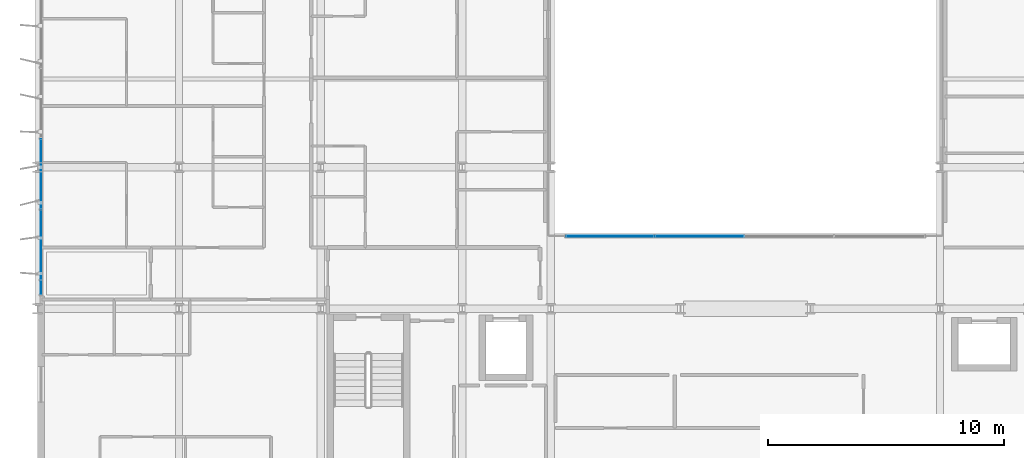
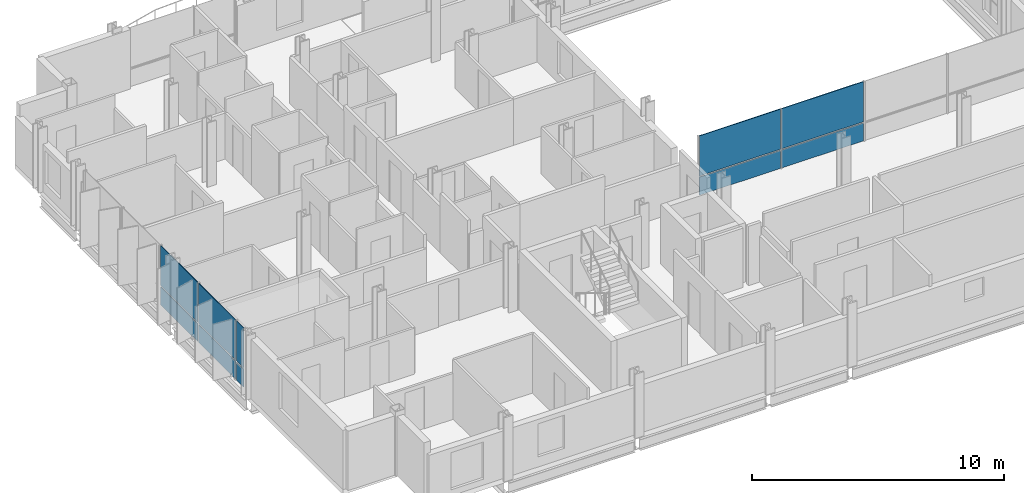
# One storey, part 22 of 39: 10 plates, 2 elements without a shape of their own.
"""IFC4 building model written with IfcOpenShell, lengths in metres."""

from ifc_helpers import new_model, si_unit, direction, frame, origin, origin_2d, place, context, subcontext, project, spatial, rectangle, extrude, material, layer, layer_set, type_object, element, aggregate, save


model = new_model("IFC4")

# Units and contexts
model_context = context("Model", 3, precision=1e-05, world=origin(), true_north=direction((0.0, 1.0)))
body_context = subcontext(model_context, "Body", "Model", "MODEL_VIEW")
ifc_project = project(units=[si_unit("LENGTHUNIT", "METRE"), si_unit("AREAUNIT", "SQUARE_METRE"), si_unit("VOLUMEUNIT", "CUBIC_METRE"), si_unit("PLANEANGLEUNIT", "RADIAN"), si_unit("MASSUNIT", "GRAM", prefix="KILO")], contexts=[model_context])

# Site, building, storey
site_placement = place(None, origin())
site = spatial("IfcSite", under=ifc_project, at=site_placement, CompositionType="ELEMENT")
building_placement = place(site_placement, origin())
building = spatial("IfcBuilding", under=site, at=building_placement, Name="Brevholm Reach", CompositionType="ELEMENT")
storey_placement = place(building_placement, frame((0.0, 0.0, 90.0)))
storey = spatial("IfcBuildingStorey", under=building, at=storey_placement, Name="L26", CompositionType="ELEMENT", Elevation=90.0)

# Curtain wall, plates
ifc_material_1 = material(Name="Dark Anodised Aluminium 6063-T6 and Solar-Control Glass", Category="aluminium")
ifc_layer_1 = layer(ifc_material_1, 0.14990234375)
ifc_layer_set_1 = layer_set([ifc_layer_1], Name="Dark Anodised Aluminium 6063-T6 and Solar-Control Glass")
curtain_wall_type_1 = type_object("IfcCurtainWallType", Name="CW-01", PredefinedType="NOTDEFINED", material=ifc_layer_set_1)
curtain_wall_1_placement = place(storey_placement, origin())
curtain_wall_1 = element("IfcCurtainWall", 1, at=curtain_wall_1_placement, inside=storey, type_object=curtain_wall_type_1, Name="L26 Curtain Wall CW-01", PredefinedType="NOTDEFINED")
ifc_material_2 = material(Name="Dark Solar-Control Double-Glazed IGU Glass", Category="glass")
ifc_layer_2 = layer(ifc_material_2, 0.028076171875)
ifc_layer_set_2 = layer_set([ifc_layer_2], Name="Dark Solar-Control Double-Glazed IGU Glass")
plate_type_1 = type_object("IfcPlateType", Name="CWP-GLZ-28", PredefinedType="CURTAIN_PANEL", material=ifc_layer_set_2)
plate_1_placement = place(storey_placement, frame((0.14990234375, 15.719970703125, 0.0), z_axis=(0.0, 0.0, 1.0), x_axis=(0.0, -1.0, 0.0)))
plate_1 = element("IfcPlate", 2, at=plate_1_placement, type_object=plate_type_1, Name="CP-01 Glazing Panel 3.1", PredefinedType="CURTAIN_PANEL", context=body_context, shape_type="SweptSolid", body=[
    extrude(rectangle(XDim=2.93505859375, YDim=0.028076171875, at=origin_2d()), origin(), (0.0, 0.0, 1.0), 0.867431640625),
])
plate_2_placement = place(storey_placement, frame((0.14990234375, 15.719970703125, 0.9326171875), z_axis=(0.0, 0.0, 1.0), x_axis=(0.0, -1.0, 0.0)))
plate_2 = element("IfcPlate", 3, at=plate_2_placement, type_object=plate_type_1, Name="CP-01 Glazing Panel 3.2", PredefinedType="CURTAIN_PANEL", context=body_context, shape_type="SweptSolid", body=[
    extrude(rectangle(XDim=2.93505859375, YDim=0.028076171875, at=origin_2d()), origin(), (0.0, 0.0, 1.0), 1.9375),
])
plate_3_placement = place(storey_placement, frame((0.14990234375, 12.719970703125, 0.0), z_axis=(0.0, 0.0, 1.0), x_axis=(0.0, -1.0, 0.0)))
plate_3 = element("IfcPlate", 4, at=plate_3_placement, type_object=plate_type_1, Name="CP-01 Glazing Panel 4.1", PredefinedType="CURTAIN_PANEL", context=body_context, shape_type="SweptSolid", body=[
    extrude(rectangle(XDim=2.93505859375, YDim=0.028076171875, at=origin_2d()), origin(), (0.0, 0.0, 1.0), 0.867431640625),
])
plate_4_placement = place(storey_placement, frame((0.14990234375, 12.719970703125, 0.9326171875), z_axis=(0.0, 0.0, 1.0), x_axis=(0.0, -1.0, 0.0)))
plate_4 = element("IfcPlate", 5, at=plate_4_placement, type_object=plate_type_1, Name="CP-01 Glazing Panel 4.2", PredefinedType="CURTAIN_PANEL", context=body_context, shape_type="SweptSolid", body=[
    extrude(rectangle(XDim=2.93505859375, YDim=0.028076171875, at=origin_2d()), origin(), (0.0, 0.0, 1.0), 1.9375),
])
plate_5_placement = place(storey_placement, frame((0.14990234375, 10.9013671875, 0.0), z_axis=(0.0, 0.0, 1.0), x_axis=(0.0, -1.0, 0.0)))
plate_5 = element("IfcPlate", 6, at=plate_5_placement, type_object=plate_type_1, Name="CP-01 Glazing Panel 5.1", PredefinedType="CURTAIN_PANEL", context=body_context, shape_type="SweptSolid", body=[
    extrude(rectangle(XDim=0.572509765625, YDim=0.028076171875, at=origin_2d()), origin(), (0.0, 0.0, 1.0), 0.867431640625),
])
plate_6_placement = place(storey_placement, frame((0.14990234375, 10.9013671875, 0.9326171875), z_axis=(0.0, 0.0, 1.0), x_axis=(0.0, -1.0, 0.0)))
plate_6 = element("IfcPlate", 7, at=plate_6_placement, type_object=plate_type_1, Name="CP-01 Glazing Panel 5.2", PredefinedType="CURTAIN_PANEL", context=body_context, shape_type="SweptSolid", body=[
    extrude(rectangle(XDim=0.572509765625, YDim=0.028076171875, at=origin_2d()), origin(), (0.0, 0.0, 1.0), 1.9375),
])
aggregate(curtain_wall_1, [plate_1, plate_2, plate_3, plate_4, plate_5, plate_6])

ifc_material_3 = material(Name="Dark Anodised Aluminium 6063-T6 and Solar-Control Glass", Category="aluminium")
ifc_layer_3 = layer(ifc_material_3, 0.139892578125)
ifc_layer_set_3 = layer_set([ifc_layer_3], Name="Dark Anodised Aluminium 6063-T6 and Solar-Control Glass")
curtain_wall_type_2 = type_object("IfcCurtainWallType", Name="CW-02", PredefinedType="NOTDEFINED", material=ifc_layer_set_3)
curtain_wall_2_placement = place(storey_placement, origin())
curtain_wall_2 = element("IfcCurtainWall", 8, at=curtain_wall_2_placement, inside=storey, type_object=curtain_wall_type_2, Name="L26 Curtain Wall CW-02", PredefinedType="NOTDEFINED")
ifc_material_4 = material(Name="Low-Iron Laminated Acoustic Glass", Category="glass")
ifc_layer_4 = layer(ifc_material_4, 0.035888671875)
ifc_layer_set_4 = layer_set([ifc_layer_4], Name="Low-Iron Laminated Acoustic Glass")
plate_type_2 = type_object("IfcPlateType", Name="CWP-GLZ-36", PredefinedType="CURTAIN_PANEL", material=ifc_layer_set_4)
plate_7_placement = place(storey_placement, frame((24.264892578125, 13.080078125, 0.0), z_axis=(0.0, 0.0, 1.0), x_axis=(1.0, 0.0, 0.0)))
plate_7 = element("IfcPlate", 9, at=plate_7_placement, type_object=plate_type_2, Name="CP-02 Glazing Panel 1.1", PredefinedType="CURTAIN_PANEL", context=body_context, shape_type="SweptSolid", body=[
    extrude(rectangle(XDim=3.7099609375, YDim=0.035888671875, at=origin_2d()), origin(), (0.0, 0.0, 1.0), 0.8701171875),
])
plate_8_placement = place(storey_placement, frame((24.264892578125, 13.080078125, 0.929931640625), z_axis=(0.0, 0.0, 1.0), x_axis=(1.0, 0.0, 0.0)))
plate_8 = element("IfcPlate", 10, at=plate_8_placement, type_object=plate_type_2, Name="CP-02 Glazing Panel 1.2", PredefinedType="CURTAIN_PANEL", context=body_context, shape_type="SweptSolid", body=[
    extrude(rectangle(XDim=3.7099609375, YDim=0.035888671875, at=origin_2d()), origin(), (0.0, 0.0, 1.0), 1.93994140625),
])
plate_9_placement = place(storey_placement, frame((28.050048828125, 13.080078125, 0.0), z_axis=(0.0, 0.0, 1.0), x_axis=(1.0, 0.0, 0.0)))
plate_9 = element("IfcPlate", 11, at=plate_9_placement, type_object=plate_type_2, Name="CP-02 Glazing Panel 2.1", PredefinedType="CURTAIN_PANEL", context=body_context, shape_type="SweptSolid", body=[
    extrude(rectangle(XDim=3.739990234375, YDim=0.035888671875, at=origin_2d()), origin(), (0.0, 0.0, 1.0), 0.8701171875),
])
plate_10_placement = place(storey_placement, frame((28.050048828125, 13.080078125, 0.929931640625), z_axis=(0.0, 0.0, 1.0), x_axis=(1.0, 0.0, 0.0)))
plate_10 = element("IfcPlate", 12, at=plate_10_placement, type_object=plate_type_2, Name="CP-02 Glazing Panel 2.2", PredefinedType="CURTAIN_PANEL", context=body_context, shape_type="SweptSolid", body=[
    extrude(rectangle(XDim=3.739990234375, YDim=0.035888671875, at=origin_2d()), origin(), (0.0, 0.0, 1.0), 1.93994140625),
])
aggregate(curtain_wall_2, [plate_7, plate_8, plate_9, plate_10])

save(model, "model.ifc")
